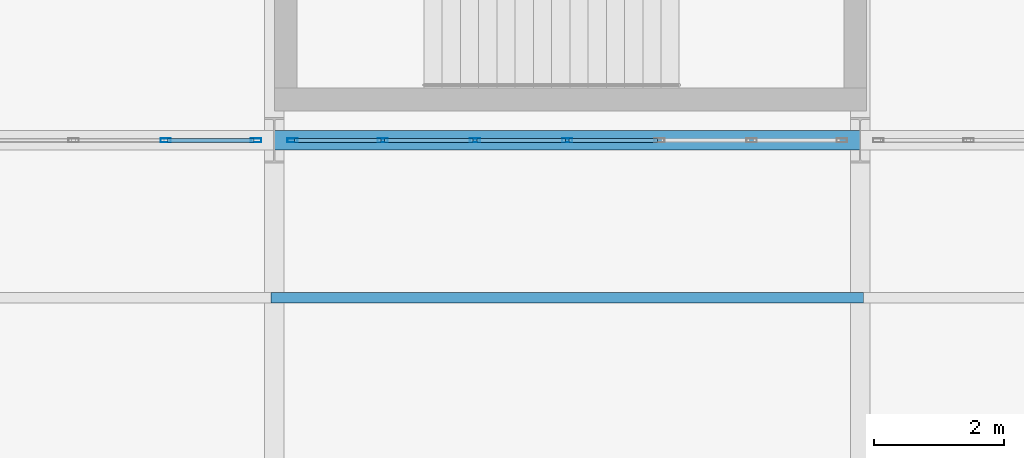
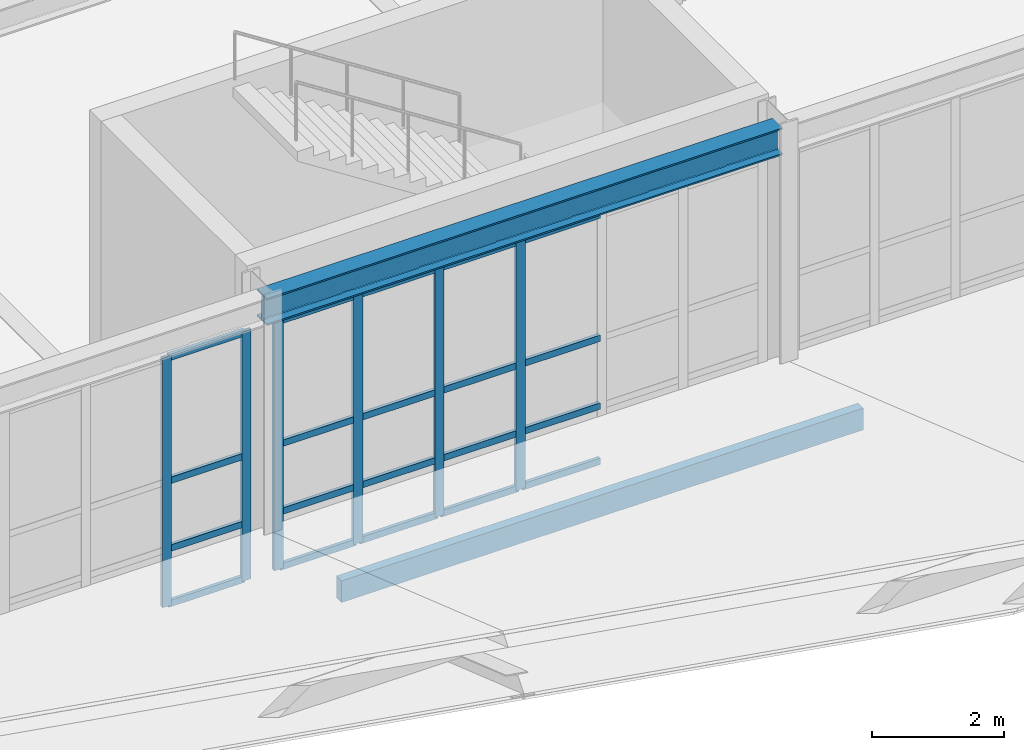
# One storey, part 54 of 239: 27 members, 1 beam, 2 elements without a shape of their own.
"""IFC4 building model written with IfcOpenShell, lengths in metres."""

from ifc_helpers import new_model, si_unit, direction, frame, origin, origin_2d, place, context, subcontext, project, spatial, rectangle, hollow_rectangle, i_section, extrude, material, material_profile, profile_set, type_object, element, aggregate, save


model = new_model("IFC4")

# Units and contexts
model_context = context("Model", 3, precision=1e-05, world=origin(), true_north=direction((0.0, 1.0)))
body_context = subcontext(model_context, "Body", "Model", "MODEL_VIEW")
ifc_project = project(units=[si_unit("LENGTHUNIT", "METRE"), si_unit("AREAUNIT", "SQUARE_METRE"), si_unit("VOLUMEUNIT", "CUBIC_METRE"), si_unit("PLANEANGLEUNIT", "RADIAN"), si_unit("MASSUNIT", "GRAM", prefix="KILO")], contexts=[model_context])

# Site, building, storey
site_placement = place(None, origin())
site = spatial("IfcSite", under=ifc_project, at=site_placement, CompositionType="ELEMENT")
building_placement = place(site_placement, origin())
building = spatial("IfcBuilding", under=site, at=building_placement, Name="Kaldris Quays Convention Centre", CompositionType="ELEMENT")
storey_placement = place(building_placement, frame((0.0, 0.0, 11.39990234375)))
storey = spatial("IfcBuildingStorey", under=building, at=storey_placement, Name="L02", CompositionType="ELEMENT", Elevation=11.39990234375)

# Curtain wall, members
ifc_material_1 = material(Name="Anodized aluminium AW-6060 and triple glazing", Category="aluminium")
curtain_wall_type = type_object("IfcCurtainWallType", Name="UNITISED CURTAIN WALL CW04", PredefinedType="NOTDEFINED", material=ifc_material_1)
curtain_wall_1_placement = place(storey_placement, origin())
curtain_wall_1 = element("IfcCurtainWall", 1, at=curtain_wall_1_placement, inside=storey, type_object=curtain_wall_type, Name="L02 Unitised Curtain Wall CW04 116", PredefinedType="NOTDEFINED")
ifc_material_2 = material(Name="Anodized aluminium AW-6060", Category="aluminium")
ifc_material_profile_1 = material_profile(ifc_material_2, hollow_rectangle(XDim=0.06005859375, YDim=0.159912109375, WallThickness=0.00390625, at=origin_2d()), Name="RHS 160x60x4")
ifc_profile_set_1 = profile_set([ifc_material_profile_1], Name="Anodized aluminium AW-6060")
member_type_1 = type_object("IfcMemberType", Name="CURTAIN MULLION CWM1", PredefinedType="MULLION", material=ifc_profile_set_1)
member_1_placement = place(storey_placement, frame((108.333251953125, 38.0, 0.0), z_axis=(0.0, 0.0, 1.0), x_axis=(0.0, 1.0, 0.0)))
member_1 = element("IfcMember", 2, at=member_1_placement, type_object=member_type_1, Name="CW04 mullion 6", PredefinedType="MULLION", context=body_context, shape_type="SweptSolid", body=[
    extrude(hollow_rectangle(XDim=0.06005859375, YDim=0.159912109375, WallThickness=0.00390625, at=origin_2d()), origin(), (0.0, 0.0, 1.0), 4.60009765625),
])
member_2_placement = place(storey_placement, frame((109.719970703125, 38.0, 0.0), z_axis=(0.0, 0.0, 1.0), x_axis=(0.0, 1.0, 0.0)))
member_2 = element("IfcMember", 3, at=member_2_placement, type_object=member_type_1, Name="CW04 mullion 7", PredefinedType="MULLION", context=body_context, shape_type="SweptSolid", body=[
    extrude(hollow_rectangle(XDim=0.06005859375, YDim=0.159912109375, WallThickness=0.00390625, at=origin_2d()), origin(), (0.0, 0.0, 1.0), 4.60009765625),
])

curtain_wall_2_placement = place(storey_placement, origin())
curtain_wall_2 = element("IfcCurtainWall", 4, at=curtain_wall_2_placement, inside=storey, type_object=curtain_wall_type, Name="L02 Unitised Curtain Wall CW04 117", PredefinedType="NOTDEFINED")
member_3_placement = place(storey_placement, frame((110.280029296875, 38.0, 0.0), z_axis=(0.0, 0.0, 1.0), x_axis=(0.0, 1.0, 0.0)))
member_3 = element("IfcMember", 5, at=member_3_placement, type_object=member_type_1, Name="CW04 mullion 1", PredefinedType="MULLION", context=body_context, shape_type="SweptSolid", body=[
    extrude(hollow_rectangle(XDim=0.06005859375, YDim=0.159912109375, WallThickness=0.00390625, at=origin_2d()), origin(), (0.0, 0.0, 1.0), 4.60009765625),
])
member_4_placement = place(storey_placement, frame((111.666748046875, 38.0, 0.0), z_axis=(0.0, 0.0, 1.0), x_axis=(0.0, 1.0, 0.0)))
member_4 = element("IfcMember", 6, at=member_4_placement, type_object=member_type_1, Name="CW04 mullion 2", PredefinedType="MULLION", context=body_context, shape_type="SweptSolid", body=[
    extrude(hollow_rectangle(XDim=0.06005859375, YDim=0.159912109375, WallThickness=0.00390625, at=origin_2d()), origin(), (0.0, 0.0, 1.0), 4.60009765625),
])
member_5_placement = place(storey_placement, frame((113.083251953125, 38.0, 0.0), z_axis=(0.0, 0.0, 1.0), x_axis=(0.0, 1.0, 0.0)))
member_5 = element("IfcMember", 7, at=member_5_placement, type_object=member_type_1, Name="CW04 mullion 3", PredefinedType="MULLION", context=body_context, shape_type="SweptSolid", body=[
    extrude(hollow_rectangle(XDim=0.06005859375, YDim=0.159912109375, WallThickness=0.00390625, at=origin_2d()), origin(), (0.0, 0.0, 1.0), 4.60009765625),
])
member_6_placement = place(storey_placement, frame((114.5, 38.0, 0.0), z_axis=(0.0, 0.0, 1.0), x_axis=(0.0, 1.0, 0.0)))
member_6 = element("IfcMember", 8, at=member_6_placement, type_object=member_type_1, Name="CW04 mullion 4", PredefinedType="MULLION", context=body_context, shape_type="SweptSolid", body=[
    extrude(hollow_rectangle(XDim=0.06005859375, YDim=0.159912109375, WallThickness=0.00390625, at=origin_2d()), origin(), (0.0, 0.0, 1.0), 4.60009765625),
])

# Member
ifc_material_profile_2 = material_profile(ifc_material_2, hollow_rectangle(XDim=0.06005859375, YDim=0.1201171875, WallThickness=0.00390625, at=origin_2d()), Name="RHS 120x60x4")
ifc_profile_set_2 = profile_set([ifc_material_profile_2], Name="Anodized aluminium AW-6060")
member_type_2 = type_object("IfcMemberType", Name="CURTAIN TRANSOM CWT1", PredefinedType="USERDEFINED", material=ifc_profile_set_2)
member_7_placement = place(storey_placement, frame((108.36328125, 38.0, 0.030029296875), z_axis=(1.0, 0.0, 0.0), x_axis=(0.0, 1.0, 0.0)))
member_7 = element("IfcMember", 9, at=member_7_placement, type_object=member_type_2, Name="CW04 transom 6.1", ObjectType="TRANSOM", PredefinedType="USERDEFINED", context=body_context, shape_type="SweptSolid", body=[
    extrude(hollow_rectangle(XDim=0.06005859375, YDim=0.1201171875, WallThickness=0.00390625, at=origin_2d()), origin(), (0.0, 0.0, 1.0), 1.32666015625),
])

member_8_placement = place(storey_placement, frame((108.36328125, 38.0, 1.050048828125), z_axis=(1.0, 0.0, 0.0), x_axis=(0.0, 1.0, 0.0)))
member_8 = element("IfcMember", 10, at=member_8_placement, type_object=member_type_2, Name="CW04 transom 6.2", ObjectType="TRANSOM", PredefinedType="USERDEFINED", context=body_context, shape_type="SweptSolid", body=[
    extrude(hollow_rectangle(XDim=0.06005859375, YDim=0.1201171875, WallThickness=0.00390625, at=origin_2d()), origin(), (0.0, 0.0, 1.0), 1.32666015625),
])

member_9_placement = place(storey_placement, frame((108.36328125, 38.0, 2.300048828125), z_axis=(1.0, 0.0, 0.0), x_axis=(0.0, 1.0, 0.0)))
member_9 = element("IfcMember", 11, at=member_9_placement, type_object=member_type_2, Name="CW04 transom 6.3", ObjectType="TRANSOM", PredefinedType="USERDEFINED", context=body_context, shape_type="SweptSolid", body=[
    extrude(hollow_rectangle(XDim=0.06005859375, YDim=0.1201171875, WallThickness=0.00390625, at=origin_2d()), origin(), (0.0, 0.0, 1.0), 1.32666015625),
])

member_10_placement = place(storey_placement, frame((108.36328125, 38.0, 4.570068359375), z_axis=(1.0, 0.0, 0.0), x_axis=(0.0, 1.0, 0.0)))
member_10 = element("IfcMember", 12, at=member_10_placement, type_object=member_type_2, Name="CW04 transom 6.4", ObjectType="TRANSOM", PredefinedType="USERDEFINED", context=body_context, shape_type="SweptSolid", body=[
    extrude(hollow_rectangle(XDim=0.06005859375, YDim=0.1201171875, WallThickness=0.00390625, at=origin_2d()), origin(), (0.0, 0.0, 1.0), 1.32666015625),
])

aggregate(curtain_wall_1, [member_1, member_2, member_7, member_8, member_9, member_10])

member_11_placement = place(storey_placement, frame((110.31005859375, 38.0, 0.030029296875), z_axis=(1.0, 0.0, 0.0), x_axis=(0.0, 1.0, 0.0)))
member_11 = element("IfcMember", 13, at=member_11_placement, type_object=member_type_2, Name="CW04 transom 1.1", ObjectType="TRANSOM", PredefinedType="USERDEFINED", context=body_context, shape_type="SweptSolid", body=[
    extrude(hollow_rectangle(XDim=0.06005859375, YDim=0.1201171875, WallThickness=0.00390625, at=origin_2d()), origin(), (0.0, 0.0, 1.0), 1.32666015625),
])

member_12_placement = place(storey_placement, frame((110.31005859375, 38.0, 1.050048828125), z_axis=(1.0, 0.0, 0.0), x_axis=(0.0, 1.0, 0.0)))
member_12 = element("IfcMember", 14, at=member_12_placement, type_object=member_type_2, Name="CW04 transom 1.2", ObjectType="TRANSOM", PredefinedType="USERDEFINED", context=body_context, shape_type="SweptSolid", body=[
    extrude(hollow_rectangle(XDim=0.06005859375, YDim=0.1201171875, WallThickness=0.00390625, at=origin_2d()), origin(), (0.0, 0.0, 1.0), 1.32666015625),
])

member_13_placement = place(storey_placement, frame((110.31005859375, 38.0, 2.300048828125), z_axis=(1.0, 0.0, 0.0), x_axis=(0.0, 1.0, 0.0)))
member_13 = element("IfcMember", 15, at=member_13_placement, type_object=member_type_2, Name="CW04 transom 1.3", ObjectType="TRANSOM", PredefinedType="USERDEFINED", context=body_context, shape_type="SweptSolid", body=[
    extrude(hollow_rectangle(XDim=0.06005859375, YDim=0.1201171875, WallThickness=0.00390625, at=origin_2d()), origin(), (0.0, 0.0, 1.0), 1.32666015625),
])

member_14_placement = place(storey_placement, frame((110.31005859375, 38.0, 4.570068359375), z_axis=(1.0, 0.0, 0.0), x_axis=(0.0, 1.0, 0.0)))
member_14 = element("IfcMember", 16, at=member_14_placement, type_object=member_type_2, Name="CW04 transom 1.4", ObjectType="TRANSOM", PredefinedType="USERDEFINED", context=body_context, shape_type="SweptSolid", body=[
    extrude(hollow_rectangle(XDim=0.06005859375, YDim=0.1201171875, WallThickness=0.00390625, at=origin_2d()), origin(), (0.0, 0.0, 1.0), 1.32666015625),
])

member_15_placement = place(storey_placement, frame((111.69677734375, 38.0, 0.030029296875), z_axis=(1.0, 0.0, 0.0), x_axis=(0.0, 1.0, 0.0)))
member_15 = element("IfcMember", 17, at=member_15_placement, type_object=member_type_2, Name="CW04 transom 2.1", ObjectType="TRANSOM", PredefinedType="USERDEFINED", context=body_context, shape_type="SweptSolid", body=[
    extrude(hollow_rectangle(XDim=0.06005859375, YDim=0.1201171875, WallThickness=0.00390625, at=origin_2d()), origin(), (0.0, 0.0, 1.0), 1.3564453125),
])

member_16_placement = place(storey_placement, frame((111.69677734375, 38.0, 1.050048828125), z_axis=(1.0, 0.0, 0.0), x_axis=(0.0, 1.0, 0.0)))
member_16 = element("IfcMember", 18, at=member_16_placement, type_object=member_type_2, Name="CW04 transom 2.2", ObjectType="TRANSOM", PredefinedType="USERDEFINED", context=body_context, shape_type="SweptSolid", body=[
    extrude(hollow_rectangle(XDim=0.06005859375, YDim=0.1201171875, WallThickness=0.00390625, at=origin_2d()), origin(), (0.0, 0.0, 1.0), 1.3564453125),
])

member_17_placement = place(storey_placement, frame((111.69677734375, 38.0, 2.300048828125), z_axis=(1.0, 0.0, 0.0), x_axis=(0.0, 1.0, 0.0)))
member_17 = element("IfcMember", 19, at=member_17_placement, type_object=member_type_2, Name="CW04 transom 2.3", ObjectType="TRANSOM", PredefinedType="USERDEFINED", context=body_context, shape_type="SweptSolid", body=[
    extrude(hollow_rectangle(XDim=0.06005859375, YDim=0.1201171875, WallThickness=0.00390625, at=origin_2d()), origin(), (0.0, 0.0, 1.0), 1.3564453125),
])

member_18_placement = place(storey_placement, frame((111.69677734375, 38.0, 4.570068359375), z_axis=(1.0, 0.0, 0.0), x_axis=(0.0, 1.0, 0.0)))
member_18 = element("IfcMember", 20, at=member_18_placement, type_object=member_type_2, Name="CW04 transom 2.4", ObjectType="TRANSOM", PredefinedType="USERDEFINED", context=body_context, shape_type="SweptSolid", body=[
    extrude(hollow_rectangle(XDim=0.06005859375, YDim=0.1201171875, WallThickness=0.00390625, at=origin_2d()), origin(), (0.0, 0.0, 1.0), 1.3564453125),
])

member_19_placement = place(storey_placement, frame((113.11328125, 38.0, 0.030029296875), z_axis=(1.0, 0.0, 0.0), x_axis=(0.0, 1.0, 0.0)))
member_19 = element("IfcMember", 21, at=member_19_placement, type_object=member_type_2, Name="CW04 transom 3.1", ObjectType="TRANSOM", PredefinedType="USERDEFINED", context=body_context, shape_type="SweptSolid", body=[
    extrude(hollow_rectangle(XDim=0.06005859375, YDim=0.1201171875, WallThickness=0.00390625, at=origin_2d()), origin(), (0.0, 0.0, 1.0), 1.356689453125),
])

member_20_placement = place(storey_placement, frame((113.11328125, 38.0, 1.050048828125), z_axis=(1.0, 0.0, 0.0), x_axis=(0.0, 1.0, 0.0)))
member_20 = element("IfcMember", 22, at=member_20_placement, type_object=member_type_2, Name="CW04 transom 3.2", ObjectType="TRANSOM", PredefinedType="USERDEFINED", context=body_context, shape_type="SweptSolid", body=[
    extrude(hollow_rectangle(XDim=0.06005859375, YDim=0.1201171875, WallThickness=0.00390625, at=origin_2d()), origin(), (0.0, 0.0, 1.0), 1.356689453125),
])

member_21_placement = place(storey_placement, frame((113.11328125, 38.0, 2.300048828125), z_axis=(1.0, 0.0, 0.0), x_axis=(0.0, 1.0, 0.0)))
member_21 = element("IfcMember", 23, at=member_21_placement, type_object=member_type_2, Name="CW04 transom 3.3", ObjectType="TRANSOM", PredefinedType="USERDEFINED", context=body_context, shape_type="SweptSolid", body=[
    extrude(hollow_rectangle(XDim=0.06005859375, YDim=0.1201171875, WallThickness=0.00390625, at=origin_2d()), origin(), (0.0, 0.0, 1.0), 1.356689453125),
])

member_22_placement = place(storey_placement, frame((113.11328125, 38.0, 4.570068359375), z_axis=(1.0, 0.0, 0.0), x_axis=(0.0, 1.0, 0.0)))
member_22 = element("IfcMember", 24, at=member_22_placement, type_object=member_type_2, Name="CW04 transom 3.4", ObjectType="TRANSOM", PredefinedType="USERDEFINED", context=body_context, shape_type="SweptSolid", body=[
    extrude(hollow_rectangle(XDim=0.06005859375, YDim=0.1201171875, WallThickness=0.00390625, at=origin_2d()), origin(), (0.0, 0.0, 1.0), 1.356689453125),
])

member_23_placement = place(storey_placement, frame((114.530029296875, 38.0, 0.030029296875), z_axis=(1.0, 0.0, 0.0), x_axis=(0.0, 1.0, 0.0)))
member_23 = element("IfcMember", 25, at=member_23_placement, type_object=member_type_2, Name="CW04 transom 4.1", ObjectType="TRANSOM", PredefinedType="USERDEFINED", context=body_context, shape_type="SweptSolid", body=[
    extrude(hollow_rectangle(XDim=0.06005859375, YDim=0.1201171875, WallThickness=0.00390625, at=origin_2d()), origin(), (0.0, 0.0, 1.0), 1.356689453125),
])

member_24_placement = place(storey_placement, frame((114.530029296875, 38.0, 1.050048828125), z_axis=(1.0, 0.0, 0.0), x_axis=(0.0, 1.0, 0.0)))
member_24 = element("IfcMember", 26, at=member_24_placement, type_object=member_type_2, Name="CW04 transom 4.2", ObjectType="TRANSOM", PredefinedType="USERDEFINED", context=body_context, shape_type="SweptSolid", body=[
    extrude(hollow_rectangle(XDim=0.06005859375, YDim=0.1201171875, WallThickness=0.00390625, at=origin_2d()), origin(), (0.0, 0.0, 1.0), 1.356689453125),
])

member_25_placement = place(storey_placement, frame((114.530029296875, 38.0, 2.300048828125), z_axis=(1.0, 0.0, 0.0), x_axis=(0.0, 1.0, 0.0)))
member_25 = element("IfcMember", 27, at=member_25_placement, type_object=member_type_2, Name="CW04 transom 4.3", ObjectType="TRANSOM", PredefinedType="USERDEFINED", context=body_context, shape_type="SweptSolid", body=[
    extrude(hollow_rectangle(XDim=0.06005859375, YDim=0.1201171875, WallThickness=0.00390625, at=origin_2d()), origin(), (0.0, 0.0, 1.0), 1.356689453125),
])

member_26_placement = place(storey_placement, frame((114.530029296875, 38.0, 4.570068359375), z_axis=(1.0, 0.0, 0.0), x_axis=(0.0, 1.0, 0.0)))
member_26 = element("IfcMember", 28, at=member_26_placement, type_object=member_type_2, Name="CW04 transom 4.4", ObjectType="TRANSOM", PredefinedType="USERDEFINED", context=body_context, shape_type="SweptSolid", body=[
    extrude(hollow_rectangle(XDim=0.06005859375, YDim=0.1201171875, WallThickness=0.00390625, at=origin_2d()), origin(), (0.0, 0.0, 1.0), 1.356689453125),
])

aggregate(curtain_wall_2, [member_3, member_4, member_5, member_6, member_11, member_12, member_13, member_14, member_15, member_16, member_17, member_18, member_19, member_20, member_21, member_22, member_23, member_24, member_25, member_26])

# Beam
ifc_material_3 = material(Name="Steel S355J2", Category="steel")
ifc_material_profile_3 = material_profile(ifc_material_3, i_section(OverallWidth=0.300048828125, OverallDepth=0.5, WebThickness=0.014404296875, FlangeThickness=0.028076171875, FilletRadius=0.027099609375, at=origin_2d()), Name="HEB 500")
ifc_profile_set_3 = profile_set([ifc_material_profile_3], Name="Steel S355J2")
beam_type = type_object("IfcBeamType", Name="STRUCTURAL BEAM BM06", PredefinedType="BEAM", material=ifc_profile_set_3)
beam_placement = place(storey_placement, frame((110.00244140625, 38.0, 4.9130859375), z_axis=(1.0, 0.0, 0.0), x_axis=(0.0, 1.0, 0.0)))
element("IfcBeam", 29, at=beam_placement, inside=storey, type_object=beam_type, Name="L02 Girder BM06 4", PredefinedType="BEAM", context=body_context, shape_type="SweptSolid", body=[
    extrude(i_section(OverallWidth=0.300048828125, OverallDepth=0.5, WebThickness=0.014404296875, FlangeThickness=0.028076171875, FilletRadius=0.027099609375, at=origin_2d()), origin(), (0.0, 0.0, 1.0), 8.9951171875),
])

# Member
ifc_material_4 = material(Name="Glulam GL28h", Category="wood")
ifc_material_profile_4 = material_profile(ifc_material_4, rectangle(XDim=0.159912109375, YDim=0.39990234375, at=origin_2d()), Name="GL 160x400")
ifc_profile_set_4 = profile_set([ifc_material_profile_4], Name="Glulam GL28h")
member_type_3 = type_object("IfcMemberType", Name="STRUCTURAL MEMBER PR01", PredefinedType="PURLIN", material=ifc_profile_set_4)
member_27_placement = place(storey_placement, frame((109.949951171875, 35.580078125, 1.201171875), z_axis=(1.0, 0.0, 0.0), x_axis=(0.0, 1.0, 0.0)))
element("IfcMember", 30, at=member_27_placement, inside=storey, type_object=member_type_3, Name="WR-SOUTH-ENTRY Glulam Wing Purlin 4", PredefinedType="PURLIN", context=body_context, shape_type="SweptSolid", body=[
    extrude(rectangle(XDim=0.159912109375, YDim=0.39990234375, at=origin_2d()), origin(), (0.0, 0.0, 1.0), 9.10009765625),
])

save(model, "model.ifc")
